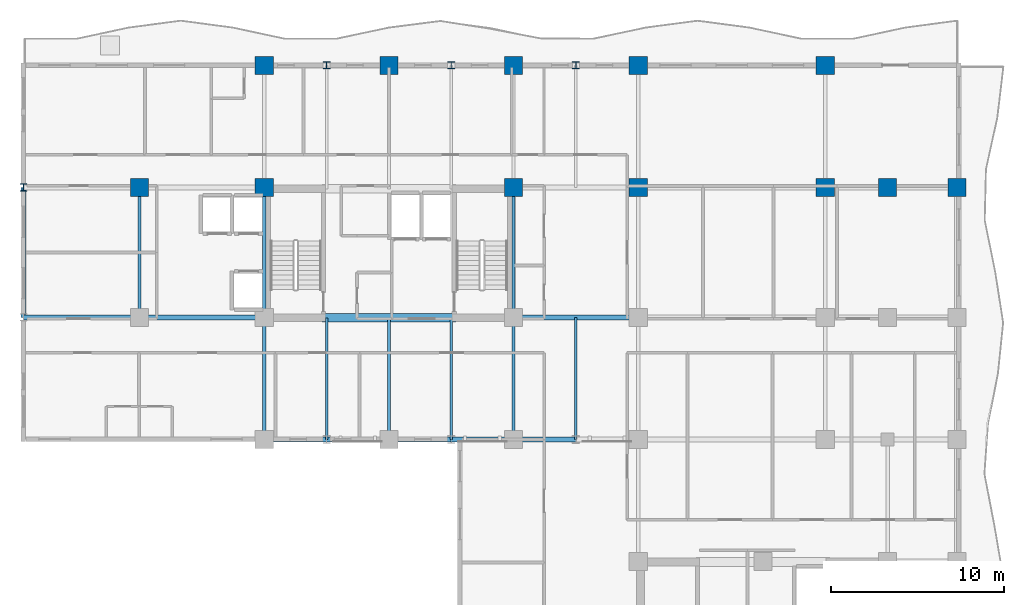
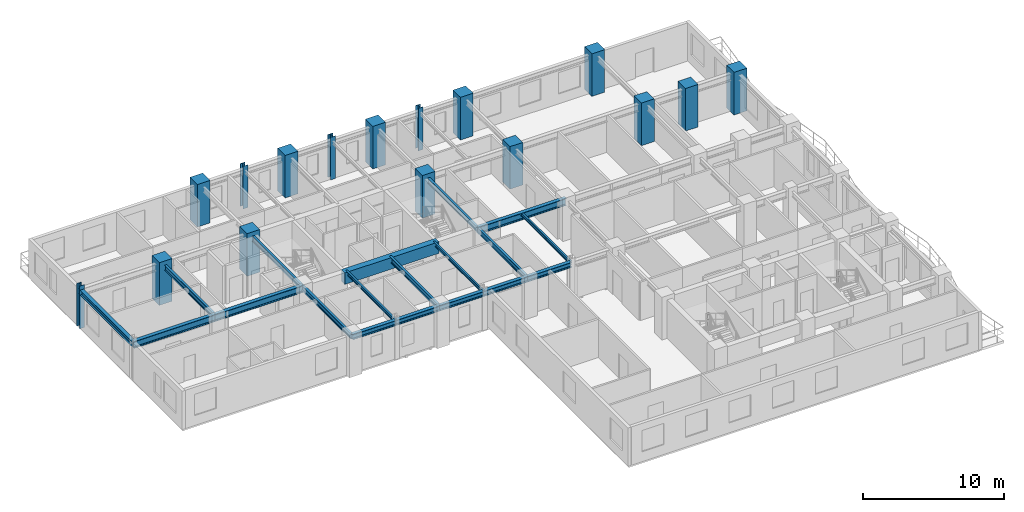
# One storey, part 2 of 13: 19 beams, 16 columns.
"""IFC4 building model written with IfcOpenShell, lengths in metres."""

from ifc_helpers import new_model, si_unit, direction, frame, origin, origin_2d, place, context, subcontext, project, spatial, rectangle, i_section, extrude, source, transform, mapped, material, material_profile, profile_set, type_object, element, save


model = new_model("IFC4")

# Units and contexts
model_context = context("Model", 3, precision=1e-05, world=origin(), true_north=direction((0.0, 1.0)))
body_context = subcontext(model_context, "Body", "Model", "MODEL_VIEW")
ifc_project = project(units=[si_unit("LENGTHUNIT", "METRE"), si_unit("AREAUNIT", "SQUARE_METRE"), si_unit("VOLUMEUNIT", "CUBIC_METRE"), si_unit("PLANEANGLEUNIT", "RADIAN"), si_unit("MASSUNIT", "GRAM", prefix="KILO")], contexts=[model_context])

# Site, building, storey
site_placement = place(None, origin())
site = spatial("IfcSite", under=ifc_project, at=site_placement, CompositionType="ELEMENT")
building_placement = place(site_placement, origin())
building = spatial("IfcBuilding", under=site, at=building_placement, Name="Kaliganga Portal Commons", CompositionType="ELEMENT")
storey_placement = place(building_placement, frame((0.0, 0.0, 188.300048828125)))
storey = spatial("IfcBuildingStorey", under=building, at=storey_placement, Name="L48", CompositionType="ELEMENT", Elevation=188.300048828125)

# Columns
ifc_material_1 = material(Name="Concrete C60/75", Category="concrete")
ifc_material_profile_1 = material_profile(ifc_material_1, rectangle(XDim=1.050048828125, YDim=1.050048828125, at=origin_2d()), Name="RC 1050x1050")
ifc_profile_set_1 = profile_set([ifc_material_profile_1], Name="Concrete C60/75")
column_type_1 = type_object("IfcColumnType", Name="COL-MEGA-Z3", PredefinedType="COLUMN", material=ifc_profile_set_1)
shared_shape_1 = source(origin(), body_context, "Body", "SweptSolid", [
    extrude(rectangle(XDim=1.050048828125, YDim=1.050048828125, at=origin_2d()), origin(), (0.0, 0.0, 1.0), 3.699951171875),
])
for number, where, z_axis, x_axis, name in (
    (1, (7.199951171875, 36.14990234375, 0.0), (0.0, 0.0, 1.0), (1.0, 0.0, 0.0), "Column MC-04 L48"),
    (2, (14.39990234375, 36.14990234375, 0.0), (0.0, 0.0, 1.0), (1.0, 0.0, 0.0), "Column MC-04 L48"),
    (3, (14.39990234375, 43.199951171875, 0.0), (0.0, 0.0, 1.0), (1.0, 0.0, 0.0), "Column MC-04 L48"),
    (4, (21.60009765625, 43.199951171875, 0.0), (0.0, 0.0, 1.0), (1.0, 0.0, 0.0), "Column MC-04 L48"),
    (5, (28.800048828125, 36.14990234375, 0.0), (0.0, 0.0, 1.0), (1.0, 0.0, 0.0), "Column MC-04 L48"),
    (6, (28.800048828125, 43.199951171875, 0.0), (0.0, 0.0, 1.0), (1.0, 0.0, 0.0), "Column MC-04 L48"),
    (7, (36.0, 43.199951171875, 0.0), (0.0, 0.0, 1.0), (1.0, 0.0, 0.0), "Column MC-04 L48"),
    (8, (36.0, 36.14990234375, 0.0), (0.0, 0.0, 1.0), (1.0, 0.0, 0.0), "Column MC-04 L48"),
    (9, (46.800048828125, 36.14990234375, 0.0), (0.0, 0.0, 1.0), (1.0, 0.0, 0.0), "Column MC-04 L48"),
    (10, (46.800048828125, 43.199951171875, 0.0), (0.0, 0.0, 1.0), (1.0, 0.0, 0.0), "Column MC-04 L48"),
    (11, (50.39990234375, 36.14990234375, 0.0), (0.0, 0.0, 1.0), (1.0, 0.0, 0.0), "Column MC-04 L48"),
    (12, (54.39990234375, 36.14990234375, 0.0), (0.0, 0.0, 1.0), (1.0, 0.0, 0.0), "Column MC-04 L48"),
):
    element("IfcColumn", number, at=place(storey_placement, frame(where, z_axis=z_axis, x_axis=x_axis)), inside=storey, type_object=column_type_1, Name=name, PredefinedType="COLUMN", context=body_context, shape_type="MappedRepresentation", body=[
        mapped(shared_shape_1, transform((0.0, 0.0, 0.0), x_axis=(1.0, 0.0, 0.0), y_axis=(0.0, 1.0, 0.0), z_axis=(0.0, 0.0, 1.0), scale=1.0)),
    ])
ifc_material_2 = material(Name="Structural steel S460M", Category="steel")
ifc_material_profile_2 = material_profile(ifc_material_2, i_section(OverallWidth=0.404052734375, OverallDepth=0.4140625, WebThickness=0.0205078125, FlangeThickness=0.028076171875, FilletRadius=0.014892578125, at=origin_2d()), Name="HD 400x347")
ifc_profile_set_2 = profile_set([ifc_material_profile_2], Name="Structural steel S460M wide-flange")
column_type_2 = type_object("IfcColumnType", Name="COL-TUBE-B3", PredefinedType="COLUMN", material=ifc_profile_set_2)
shared_shape_2 = source(origin(), body_context, "Body", "SweptSolid", [
    extrude(i_section(OverallWidth=0.404052734375, OverallDepth=0.4140625, WebThickness=0.0205078125, FlangeThickness=0.028076171875, FilletRadius=0.014892578125, at=origin_2d()), origin(), (0.0, 0.0, 1.0), 3.699951171875),
])
for number, where, z_axis, x_axis, name in (
    (13, (0.5, 36.14990234375, 0.0), (0.0, 0.0, 1.0), (1.0, 0.0, 0.0), "Column TC-03 L48"),
    (14, (18.0, 43.199951171875, 0.0), (0.0, 0.0, 1.0), (1.0, 0.0, 0.0), "Column TC-03 L48"),
    (15, (25.199951171875, 43.199951171875, 0.0), (0.0, 0.0, 1.0), (1.0, 0.0, 0.0), "Column TC-03 L48"),
    (16, (32.39990234375, 43.199951171875, 0.0), (0.0, 0.0, 1.0), (1.0, 0.0, 0.0), "Column TC-03 L48"),
):
    element("IfcColumn", number, at=place(storey_placement, frame(where, z_axis=z_axis, x_axis=x_axis)), inside=storey, type_object=column_type_2, Name=name, PredefinedType="COLUMN", context=body_context, shape_type="MappedRepresentation", body=[
        mapped(shared_shape_2, transform((0.0, 0.0, 0.0), x_axis=(1.0, 0.0, 0.0), y_axis=(0.0, 1.0, 0.0), z_axis=(0.0, 0.0, 1.0), scale=1.0)),
    ])

# Beams
ifc_material_3 = material(Name="Concrete C50/60", Category="concrete")
ifc_material_profile_3 = material_profile(ifc_material_3, rectangle(XDim=0.5, YDim=1.0, at=origin_2d()), Name="RC 500x1000")
ifc_profile_set_3 = profile_set([ifc_material_profile_3], Name="Concrete C50/60")
beam_type_1 = type_object("IfcBeamType", Name="BM-CPL-1000", PredefinedType="LINTEL", material=ifc_profile_set_3)
shared_shape_3 = source(origin(), body_context, "Body", "SweptSolid", [
    extrude(rectangle(XDim=0.5, YDim=1.0, at=origin_2d()), origin(), (0.0, 0.0, 1.0), 7.739990234375),
])
beam_1_placement = place(storey_placement, frame((17.72998046875, 28.625, 2.83984375), z_axis=(1.0, 0.0, 0.0), x_axis=(0.0, 1.0, 0.0)))
element("IfcBeam", 17, at=beam_1_placement, inside=storey, type_object=beam_type_1, Name="BM CPL COREA L48 S", PredefinedType="LINTEL", context=body_context, shape_type="MappedRepresentation", body=[
    mapped(shared_shape_3, transform((0.0, 0.0, 0.0), x_axis=(1.0, 0.0, 0.0), y_axis=(0.0, 1.0, 0.0), z_axis=(0.0, 0.0, 1.0), scale=1.0)),
])
ifc_material_4 = material(Name="Structural steel S355J2", Category="steel")
ifc_material_profile_4 = material_profile(ifc_material_4, i_section(OverallWidth=0.300048828125, OverallDepth=0.449951171875, WebThickness=0.013916015625, FlangeThickness=0.02587890625, FilletRadius=0.027099609375, at=origin_2d()), Name="HE 450 B")
ifc_profile_set_4 = profile_set([ifc_material_profile_4], Name="Structural steel S355J2 wide-flange")
beam_type_2 = type_object("IfcBeamType", Name="BM-SPAND-450", PredefinedType="SPANDREL", material=ifc_profile_set_4)
shared_shape_4 = source(origin(), body_context, "Body", "SweptSolid", [
    extrude(i_section(OverallWidth=0.300048828125, OverallDepth=0.449951171875, WebThickness=0.013916015625, FlangeThickness=0.02587890625, FilletRadius=0.027099609375, at=origin_2d()), origin(), (0.0, 0.0, 1.0), 3.60009765625),
])
for number, where, z_axis, x_axis, name in (
    (18, (14.39990234375, 21.60009765625, 3.114990234375), (1.0, 0.0, 0.0), (0.0, 1.0, 0.0), "BM SP L48 AS 1"),
    (19, (18.0, 21.60009765625, 3.114990234375), (1.0, 0.0, 0.0), (0.0, 1.0, 0.0), "BM SP L48 AS 2"),
    (20, (25.199951171875, 21.60009765625, 3.114990234375), (1.0, 0.0, 0.0), (0.0, 1.0, 0.0), "BM SP L48 AS 4"),
):
    element("IfcBeam", number, at=place(storey_placement, frame(where, z_axis=z_axis, x_axis=x_axis)), inside=storey, type_object=beam_type_2, Name=name, PredefinedType="SPANDREL", context=body_context, shape_type="MappedRepresentation", body=[
        mapped(shared_shape_4, transform((0.0, 0.0, 0.0), x_axis=(1.0, 0.0, 0.0), y_axis=(0.0, 1.0, 0.0), z_axis=(0.0, 0.0, 1.0), scale=1.0)),
    ])
shared_shape_5 = source(origin(), body_context, "Body", "SweptSolid", [
    extrude(i_section(OverallWidth=0.300048828125, OverallDepth=0.449951171875, WebThickness=0.013916015625, FlangeThickness=0.02587890625, FilletRadius=0.027099609375, at=origin_2d()), origin(), (0.0, 0.0, 1.0), 3.599853515625),
])
for number, where, z_axis, x_axis, name in (
    (21, (21.60009765625, 21.60009765625, 3.114990234375), (1.0, 0.0, 0.0), (0.0, 1.0, 0.0), "BM SP L48 AS 3"),
    (22, (28.800048828125, 21.60009765625, 3.114990234375), (1.0, 0.0, 0.0), (0.0, 1.0, 0.0), "BM SP L48 AS 5"),
):
    element("IfcBeam", number, at=place(storey_placement, frame(where, z_axis=z_axis, x_axis=x_axis)), inside=storey, type_object=beam_type_2, Name=name, PredefinedType="SPANDREL", context=body_context, shape_type="MappedRepresentation", body=[
        mapped(shared_shape_5, transform((0.0, 0.0, 0.0), x_axis=(1.0, 0.0, 0.0), y_axis=(0.0, 1.0, 0.0), z_axis=(0.0, 0.0, 1.0), scale=1.0)),
    ])
shared_shape_6 = source(origin(), body_context, "Body", "SweptSolid", [
    extrude(i_section(OverallWidth=0.300048828125, OverallDepth=0.449951171875, WebThickness=0.013916015625, FlangeThickness=0.02587890625, FilletRadius=0.027099609375, at=origin_2d()), origin(), (0.0, 0.0, 1.0), 7.5),
])
beam_2_placement = place(storey_placement, frame((0.5, 28.64990234375, 3.114990234375), z_axis=(0.0, 1.0, 0.0), x_axis=(-1.0, 0.0, 0.0)))
element("IfcBeam", 23, at=beam_2_placement, inside=storey, type_object=beam_type_2, Name="BM SP L48 AW", PredefinedType="SPANDREL", context=body_context, shape_type="MappedRepresentation", body=[
    mapped(shared_shape_6, transform((0.0, 0.0, 0.0), x_axis=(1.0, 0.0, 0.0), y_axis=(0.0, 1.0, 0.0), z_axis=(0.0, 0.0, 1.0), scale=1.0)),
])
ifc_material_profile_5 = material_profile(ifc_material_4, i_section(OverallWidth=0.300048828125, OverallDepth=0.60009765625, WebThickness=0.015380859375, FlangeThickness=0.030029296875, FilletRadius=0.027099609375, at=origin_2d()), Name="HE 600 B")
ifc_profile_set_5 = profile_set([ifc_material_profile_5], Name="Structural steel S355J2 wide-flange")
beam_type_3 = type_object("IfcBeamType", Name="BM-GIRD-600", PredefinedType="USERDEFINED", material=ifc_profile_set_5)
shared_shape_7 = source(origin(), body_context, "Body", "SweptSolid", [
    extrude(i_section(OverallWidth=0.300048828125, OverallDepth=0.60009765625, WebThickness=0.015380859375, FlangeThickness=0.030029296875, FilletRadius=0.027099609375, at=origin_2d()), origin(), (0.0, 0.0, 1.0), 6.699951171875),
])
beam_3_placement = place(storey_placement, frame((0.5, 28.64990234375, 3.0400390625), z_axis=(1.0, 0.0, 0.0), x_axis=(0.0, 1.0, 0.0)))
element("IfcBeam", 24, at=beam_3_placement, inside=storey, type_object=beam_type_3, Name="BM G L48 WAH_S 1", ObjectType="GIRDER", PredefinedType="USERDEFINED", context=body_context, shape_type="MappedRepresentation", body=[
    mapped(shared_shape_7, transform((0.0, 0.0, 0.0), x_axis=(1.0, 0.0, 0.0), y_axis=(0.0, 1.0, 0.0), z_axis=(0.0, 0.0, 1.0), scale=1.0)),
])
shared_shape_8 = source(origin(), body_context, "Body", "SweptSolid", [
    extrude(i_section(OverallWidth=0.300048828125, OverallDepth=0.60009765625, WebThickness=0.015380859375, FlangeThickness=0.030029296875, FilletRadius=0.027099609375, at=origin_2d()), origin(), (0.0, 0.0, 1.0), 7.199951171875),
])
for number, where, z_axis, x_axis, name in (
    (25, (7.199951171875, 28.64990234375, 3.0400390625), (1.0, 0.0, 0.0), (0.0, 1.0, 0.0), "BM G L48 WAH_S 2"),
    (26, (28.800048828125, 28.64990234375, 3.0400390625), (1.0, 0.0, 0.0), (0.0, 1.0, 0.0), "BM G L48 WAE_S 1"),
):
    element("IfcBeam", number, at=place(storey_placement, frame(where, z_axis=z_axis, x_axis=x_axis)), inside=storey, type_object=beam_type_3, Name=name, ObjectType="GIRDER", PredefinedType="USERDEFINED", context=body_context, shape_type="MappedRepresentation", body=[
        mapped(shared_shape_8, transform((0.0, 0.0, 0.0), x_axis=(1.0, 0.0, 0.0), y_axis=(0.0, 1.0, 0.0), z_axis=(0.0, 0.0, 1.0), scale=1.0)),
    ])
ifc_material_profile_6 = material_profile(ifc_material_4, i_section(OverallWidth=0.18994140625, OverallDepth=0.449951171875, WebThickness=0.009521484375, FlangeThickness=0.0146484375, FilletRadius=0.02099609375, at=origin_2d()), Name="IPE 450")
ifc_profile_set_6 = profile_set([ifc_material_profile_6], Name="Structural steel S355J2 wide-flange")
beam_type_4 = type_object("IfcBeamType", Name="BM-FLR-450", PredefinedType="BEAM", material=ifc_profile_set_6)
shared_shape_9 = source(origin(), body_context, "Body", "SweptSolid", [
    extrude(i_section(OverallWidth=0.18994140625, OverallDepth=0.449951171875, WebThickness=0.009521484375, FlangeThickness=0.0146484375, FilletRadius=0.02099609375, at=origin_2d()), origin(), (0.0, 0.0, 1.0), 7.5),
])
for number, where, z_axis, x_axis, name in (
    (27, (7.199951171875, 28.64990234375, 3.114990234375), (0.0, 1.0, 0.0), (-1.0, 0.0, 0.0), "BM G L48 AW72"),
    (28, (14.39990234375, 28.64990234375, 3.114990234375), (0.0, 1.0, 0.0), (-1.0, 0.0, 0.0), "BM G L48 AM144"),
    (29, (28.800048828125, 28.64990234375, 3.114990234375), (0.0, 1.0, 0.0), (-1.0, 0.0, 0.0), "BM G L48 AM288"),
):
    element("IfcBeam", number, at=place(storey_placement, frame(where, z_axis=z_axis, x_axis=x_axis)), inside=storey, type_object=beam_type_4, Name=name, PredefinedType="BEAM", context=body_context, shape_type="MappedRepresentation", body=[
        mapped(shared_shape_9, transform((0.0, 0.0, 0.0), x_axis=(1.0, 0.0, 0.0), y_axis=(0.0, 1.0, 0.0), z_axis=(0.0, 0.0, 1.0), scale=1.0)),
    ])
shared_shape_10 = source(origin(), body_context, "Body", "SweptSolid", [
    extrude(i_section(OverallWidth=0.18994140625, OverallDepth=0.449951171875, WebThickness=0.009521484375, FlangeThickness=0.0146484375, FilletRadius=0.02099609375, at=origin_2d()), origin(), (0.0, 0.0, 1.0), 7.0498046875),
])
for number, where, z_axis, x_axis, name in (
    (30, (14.39990234375, 21.60009765625, 3.114990234375), (0.0, 1.0, 0.0), (-1.0, 0.0, 0.0), "BM G L48 AS144"),
    (31, (28.800048828125, 21.60009765625, 3.114990234375), (0.0, 1.0, 0.0), (-1.0, 0.0, 0.0), "BM G L48 AS288"),
):
    element("IfcBeam", number, at=place(storey_placement, frame(where, z_axis=z_axis, x_axis=x_axis)), inside=storey, type_object=beam_type_4, Name=name, PredefinedType="BEAM", context=body_context, shape_type="MappedRepresentation", body=[
        mapped(shared_shape_10, transform((0.0, 0.0, 0.0), x_axis=(1.0, 0.0, 0.0), y_axis=(0.0, 1.0, 0.0), z_axis=(0.0, 0.0, 1.0), scale=1.0)),
    ])
ifc_material_profile_7 = material_profile(ifc_material_4, i_section(OverallWidth=0.14990234375, OverallDepth=0.300048828125, WebThickness=0.007080078125, FlangeThickness=0.0107421875, FilletRadius=0.014892578125, at=origin_2d()), Name="IPE 300")
ifc_profile_set_7 = profile_set([ifc_material_profile_7], Name="Structural steel S355J2 wide-flange")
beam_type_5 = type_object("IfcBeamType", Name="BM-JST-300", PredefinedType="JOIST", material=ifc_profile_set_7)
shared_shape_11 = source(origin(), body_context, "Body", "SweptSolid", [
    extrude(i_section(OverallWidth=0.14990234375, OverallDepth=0.300048828125, WebThickness=0.007080078125, FlangeThickness=0.0107421875, FilletRadius=0.014892578125, at=origin_2d()), origin(), (0.0, 0.0, 1.0), 7.02490234375),
])
for number, where, z_axis, x_axis, name in (
    (32, (18.0, 21.60009765625, 3.18994140625), (0.0, 1.0, 0.0), (-1.0, 0.0, 0.0), "BM G L48 AS180"),
    (33, (25.199951171875, 21.60009765625, 3.18994140625), (0.0, 1.0, 0.0), (-1.0, 0.0, 0.0), "BM G L48 AS252"),
):
    element("IfcBeam", number, at=place(storey_placement, frame(where, z_axis=z_axis, x_axis=x_axis)), inside=storey, type_object=beam_type_5, Name=name, PredefinedType="JOIST", context=body_context, shape_type="MappedRepresentation", body=[
        mapped(shared_shape_11, transform((0.0, 0.0, 0.0), x_axis=(1.0, 0.0, 0.0), y_axis=(0.0, 1.0, 0.0), z_axis=(0.0, 0.0, 1.0), scale=1.0)),
    ])
shared_shape_12 = source(origin(), body_context, "Body", "SweptSolid", [
    extrude(i_section(OverallWidth=0.18994140625, OverallDepth=0.449951171875, WebThickness=0.009521484375, FlangeThickness=0.0146484375, FilletRadius=0.02099609375, at=origin_2d()), origin(), (0.0, 0.0, 1.0), 7.02490234375),
])
beam_4_placement = place(storey_placement, frame((21.60009765625, 21.60009765625, 3.114990234375), z_axis=(0.0, 1.0, 0.0), x_axis=(-1.0, 0.0, 0.0)))
element("IfcBeam", 34, at=beam_4_placement, inside=storey, type_object=beam_type_4, Name="BM G L48 AS216", PredefinedType="BEAM", context=body_context, shape_type="MappedRepresentation", body=[
    mapped(shared_shape_12, transform((0.0, 0.0, 0.0), x_axis=(1.0, 0.0, 0.0), y_axis=(0.0, 1.0, 0.0), z_axis=(0.0, 0.0, 1.0), scale=1.0)),
])
shared_shape_13 = source(origin(), body_context, "Body", "SweptSolid", [
    extrude(i_section(OverallWidth=0.14990234375, OverallDepth=0.300048828125, WebThickness=0.007080078125, FlangeThickness=0.0107421875, FilletRadius=0.014892578125, at=origin_2d()), origin(), (0.0, 0.0, 1.0), 7.0498046875),
])
beam_5_placement = place(storey_placement, frame((32.39990234375, 21.60009765625, 3.18994140625), z_axis=(0.0, 1.0, 0.0), x_axis=(-1.0, 0.0, 0.0)))
element("IfcBeam", 35, at=beam_5_placement, inside=storey, type_object=beam_type_5, Name="BM G L48 AS324", PredefinedType="JOIST", context=body_context, shape_type="MappedRepresentation", body=[
    mapped(shared_shape_13, transform((0.0, 0.0, 0.0), x_axis=(1.0, 0.0, 0.0), y_axis=(0.0, 1.0, 0.0), z_axis=(0.0, 0.0, 1.0), scale=1.0)),
])

save(model, "model.ifc")
